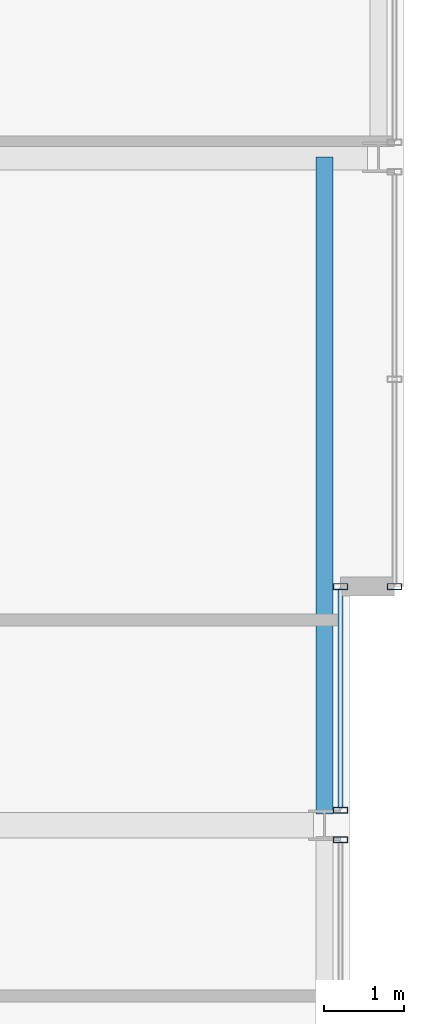
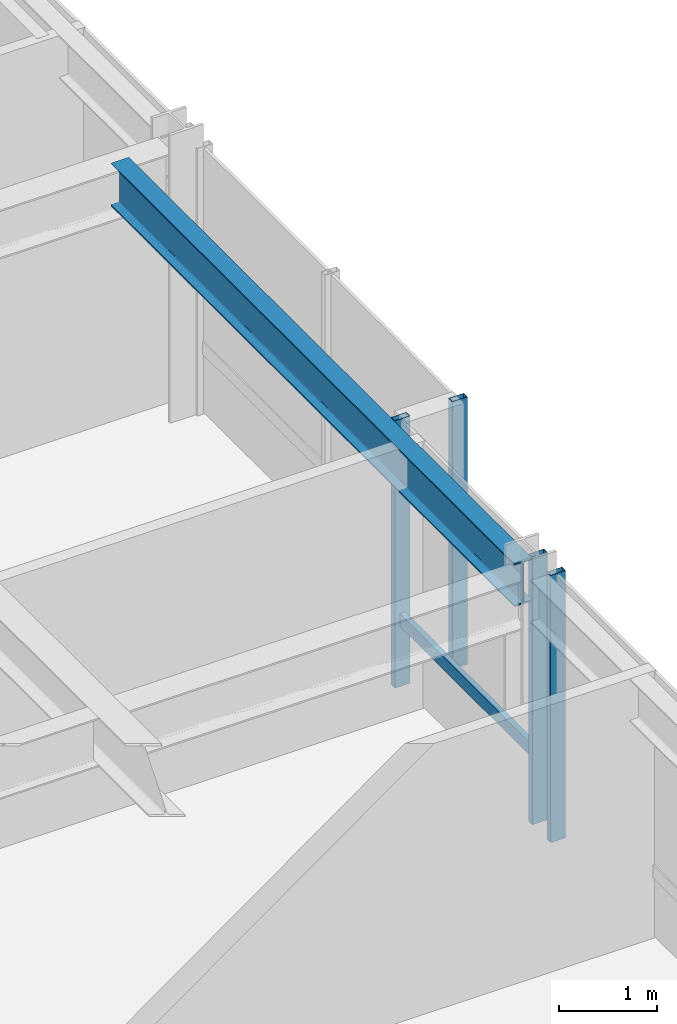
# One storey, part 16 of 31: 5 members, 1 beam, 3 elements without a shape of their own.
"""IFC4 building model written with IfcOpenShell, lengths in metres."""

from ifc_helpers import new_model, si_unit, direction, frame, origin, origin_2d, place, context, subcontext, project, spatial, hollow_rectangle, i_section, extrude, material, layer, layer_set, material_profile, profile_set, type_object, element, aggregate, save


model = new_model("IFC4")

# Units and contexts
model_context = context("Model", 3, precision=1e-05, world=origin(), true_north=direction((0.0, 1.0)))
body_context = subcontext(model_context, "Body", "Model", "MODEL_VIEW")
ifc_project = project(units=[si_unit("LENGTHUNIT", "METRE"), si_unit("AREAUNIT", "SQUARE_METRE"), si_unit("VOLUMEUNIT", "CUBIC_METRE"), si_unit("PLANEANGLEUNIT", "RADIAN"), si_unit("MASSUNIT", "GRAM", prefix="KILO")], contexts=[model_context])

# Site, building, storey
site_placement = place(None, origin())
site = spatial("IfcSite", under=ifc_project, at=site_placement, CompositionType="ELEMENT")
building_placement = place(site_placement, origin())
building = spatial("IfcBuilding", under=site, at=building_placement, Name="Drelvath Grand Hotel", CompositionType="ELEMENT")
storey_placement = place(building_placement, frame((0.0, 0.0, 230.300048828125)))
storey = spatial("IfcBuildingStorey", under=building, at=storey_placement, Name="L60", CompositionType="ELEMENT", Elevation=230.300048828125)

# Curtain wall, member
ifc_material_1 = material(Name="Platinum-Mist Anodised Aluminium Frame", Category="aluminium")
ifc_layer = layer(ifc_material_1, 0.199951171875)
ifc_layer_set = layer_set([ifc_layer], Name="Platinum-Mist Anodised Aluminium Frame")
curtain_wall_type = type_object("IfcCurtainWallType", Name="Stick Curtain Wall CW-05 Platinum Mist High-Rise", PredefinedType="NOTDEFINED", material=ifc_layer_set)
curtain_wall_1_placement = place(storey_placement, origin())
curtain_wall_1 = element("IfcCurtainWall", 1, at=curtain_wall_1_placement, inside=storey, type_object=curtain_wall_type, Name="L60 CW-05 Curtain Wall CW05-L60-EM2", PredefinedType="NOTDEFINED")
ifc_material_profile_1 = material_profile(ifc_material_1, hollow_rectangle(XDim=0.06494140625, YDim=0.159912109375, WallThickness=0.00390625, at=origin_2d()), Name="HSS160X65X4")
ifc_profile_set_1 = profile_set([ifc_material_profile_1], Name="Platinum-Mist Anodised Aluminium Frame")
member_type_1 = type_object("IfcMemberType", Name="Curtain Wall Horizontal Transom CW-05 HSS160X65X4", PredefinedType="USERDEFINED", material=ifc_profile_set_1)
member_1_placement = place(storey_placement, frame((21.39990234375, 29.9599609375, 0.8349609375), z_axis=(0.0, -1.0, 0.0), x_axis=(1.0, 0.0, 0.0)))
member_1 = element("IfcMember", 2, at=member_1_placement, type_object=member_type_1, Name="CW05-L60-EM2 Sill Transom", ObjectType="TRANSOM", PredefinedType="USERDEFINED", context=body_context, shape_type="SweptSolid", body=[
    extrude(hollow_rectangle(XDim=0.06494140625, YDim=0.159912109375, WallThickness=0.00390625, at=origin_2d()), origin(), (0.0, 0.0, 1.0), 2.734619140625),
])

curtain_wall_2_placement = place(storey_placement, origin())
curtain_wall_2 = element("IfcCurtainWall", 3, at=curtain_wall_2_placement, inside=storey, type_object=curtain_wall_type, Name="L60 CW-05 Curtain Wall CW05-L60-EN1", PredefinedType="NOTDEFINED")
ifc_material_profile_2 = material_profile(ifc_material_1, hollow_rectangle(XDim=0.074951171875, YDim=0.179931640625, WallThickness=0.0048828125, at=origin_2d()), Name="HSS180X75X5")
ifc_profile_set_2 = profile_set([ifc_material_profile_2], Name="Platinum-Mist Anodised Aluminium Frame")
member_type_2 = type_object("IfcMemberType", Name="Curtain Wall Vertical Mullion CW-05 HSS180X75X5", PredefinedType="MULLION", material=ifc_profile_set_2)
member_2_placement = place(storey_placement, frame((22.080078125, 30.0, 0.0), z_axis=(0.0, 0.0, 1.0), x_axis=(0.0, 1.0, 0.0)))
member_2 = element("IfcMember", 4, at=member_2_placement, type_object=member_type_2, Name="CW05-L60-EN1 Mullion 3", PredefinedType="MULLION", context=body_context, shape_type="SweptSolid", body=[
    extrude(hollow_rectangle(XDim=0.074951171875, YDim=0.179931640625, WallThickness=0.0048828125, at=origin_2d()), origin(), (0.0, 0.0, 1.0), 3.33984375),
])
aggregate(curtain_wall_2, [member_2])

curtain_wall_3_placement = place(storey_placement, origin())
curtain_wall_3 = element("IfcCurtainWall", 5, at=curtain_wall_3_placement, inside=storey, type_object=curtain_wall_type, Name="L60 CW-05 Curtain Wall CW05-L60-EM1", PredefinedType="NOTDEFINED")
member_3_placement = place(storey_placement, frame((21.39990234375, 26.814697265625, 0.0), z_axis=(0.0, 0.0, 1.0), x_axis=(0.0, 1.0, 0.0)))
member_3 = element("IfcMember", 6, at=member_3_placement, type_object=member_type_2, Name="CW05-L60-EM1 Mullion 1", PredefinedType="MULLION", context=body_context, shape_type="SweptSolid", body=[
    extrude(hollow_rectangle(XDim=0.074951171875, YDim=0.179931640625, WallThickness=0.0048828125, at=origin_2d()), origin(), (0.0, 0.0, 1.0), 3.33984375),
])
aggregate(curtain_wall_3, [member_3])

# Member
member_4_placement = place(storey_placement, frame((21.39990234375, 30.0, 0.0), z_axis=(0.0, 0.0, 1.0), x_axis=(0.0, 1.0, 0.0)))
member_4 = element("IfcMember", 7, at=member_4_placement, type_object=member_type_2, Name="CW05-L60-EM2 Mullion 1", PredefinedType="MULLION", context=body_context, shape_type="SweptSolid", body=[
    extrude(hollow_rectangle(XDim=0.074951171875, YDim=0.179931640625, WallThickness=0.0048828125, at=origin_2d()), origin(), (0.0, 0.0, 1.0), 3.33984375),
])

member_5_placement = place(storey_placement, frame((21.39990234375, 27.185302734375, 0.0), z_axis=(0.0, 0.0, 1.0), x_axis=(0.0, 1.0, 0.0)))
member_5 = element("IfcMember", 8, at=member_5_placement, type_object=member_type_2, Name="CW05-L60-EM2 Mullion 2", PredefinedType="MULLION", context=body_context, shape_type="SweptSolid", body=[
    extrude(hollow_rectangle(XDim=0.074951171875, YDim=0.179931640625, WallThickness=0.0048828125, at=origin_2d()), origin(), (0.0, 0.0, 1.0), 3.33984375),
])

aggregate(curtain_wall_1, [member_4, member_5, member_1])

# Beam
ifc_material_2 = material(Name="Steel ASTM A992 Gr 50", Category="steel")
ifc_material_profile_3 = material_profile(ifc_material_2, i_section(OverallWidth=0.210205078125, OverallDepth=0.53662109375, WebThickness=0.010986328125, FlangeThickness=0.017333984375, FilletRadius=0.01806640625, at=origin_2d()), Name="W21X68")
ifc_profile_set_3 = profile_set([ifc_material_profile_3], Name="Steel ASTM A992 Gr 50")
beam_type = type_object("IfcBeamType", Name="Perimeter Spandrel Beam W21X68", PredefinedType="SPANDREL", material=ifc_profile_set_3)
beam_placement = place(storey_placement, frame((21.199951171875, 27.139892578125, 3.071533203125), z_axis=(0.0, 1.0, 0.0), x_axis=(-1.0, 0.0, 0.0)))
element("IfcBeam", 9, at=beam_placement, inside=storey, type_object=beam_type, Name="L60 Spandrel East Mid N", PredefinedType="SPANDREL", context=body_context, shape_type="SweptSolid", body=[
    extrude(i_section(OverallWidth=0.210205078125, OverallDepth=0.53662109375, WebThickness=0.010986328125, FlangeThickness=0.017333984375, FilletRadius=0.01806640625, at=origin_2d()), origin(), (0.0, 0.0, 1.0), 8.260009765625),
])

save(model, "model.ifc")
